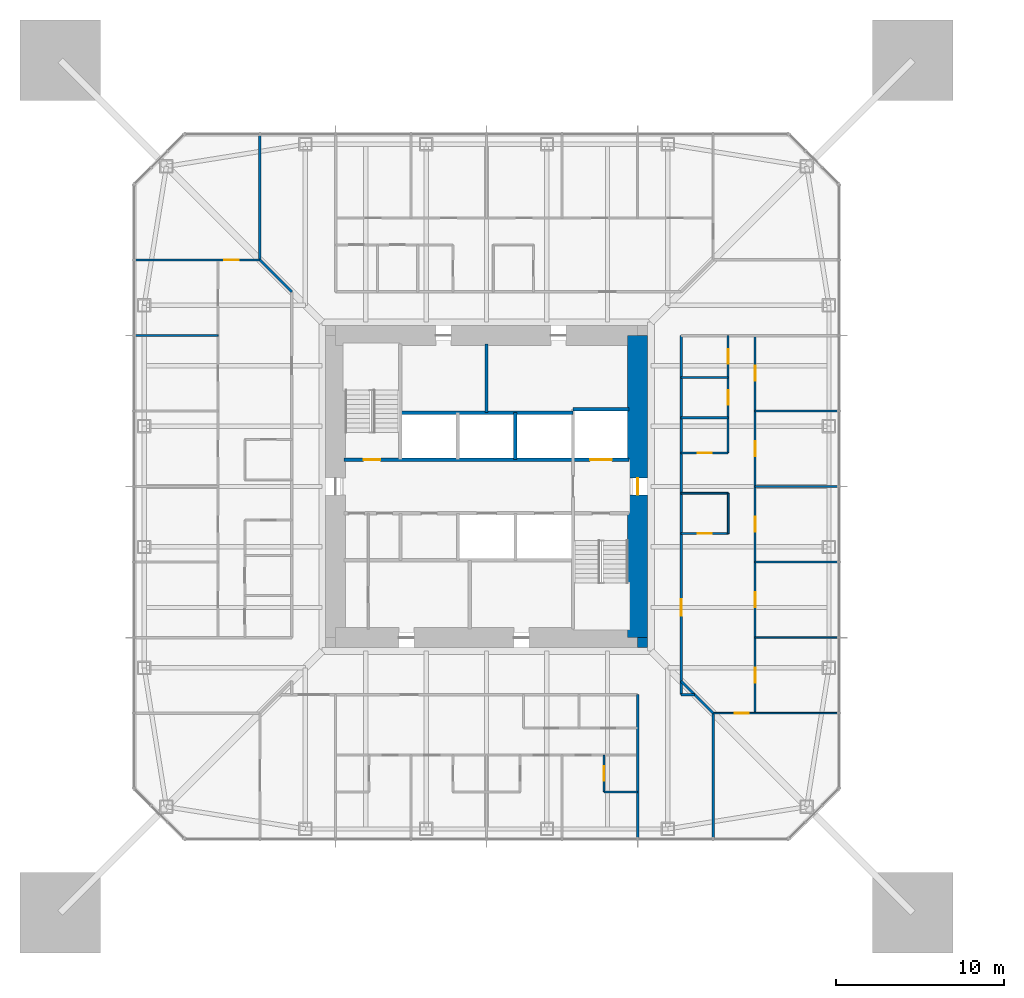
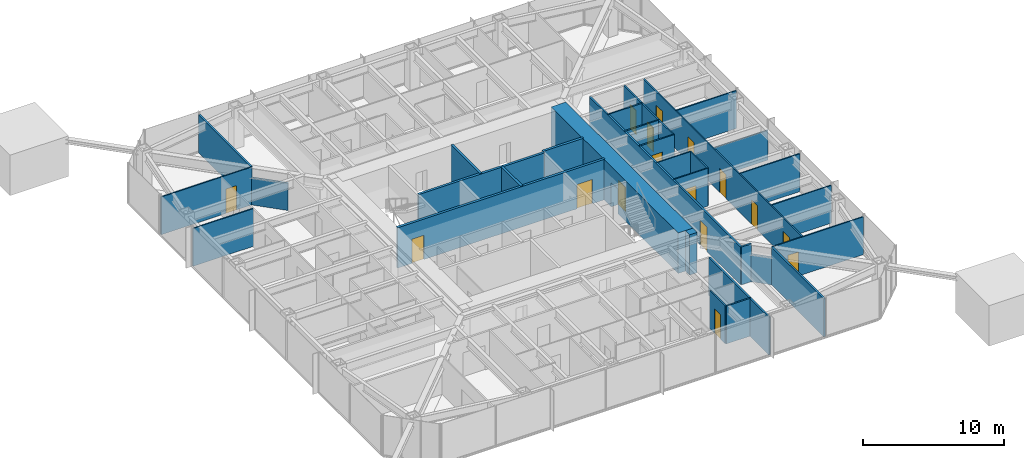
# One storey, part 15 of 25: 31 walls, 16 doors, 16 openings.
"""IFC4 building model written with IfcOpenShell, lengths in metres."""

from ifc_helpers import new_model, si_unit, direction, frame, frame_2d, origin, place, context, subcontext, project, spatial, rectangle, extrude, material, layer, layer_set, type_object, element, fill, save


model = new_model("IFC4")

# Units and contexts
model_context = context("Model", 3, precision=1e-05, world=origin(), true_north=direction((0.0, 1.0)))
body_context = subcontext(model_context, "Body", "Model", "MODEL_VIEW")
ifc_project = project(units=[si_unit("LENGTHUNIT", "METRE"), si_unit("AREAUNIT", "SQUARE_METRE"), si_unit("VOLUMEUNIT", "CUBIC_METRE"), si_unit("PLANEANGLEUNIT", "RADIAN"), si_unit("MASSUNIT", "GRAM", prefix="KILO")], contexts=[model_context])

# Site, building, storey
site_placement = place(None, origin())
site = spatial("IfcSite", under=ifc_project, at=site_placement, CompositionType="ELEMENT")
building_placement = place(site_placement, origin())
building = spatial("IfcBuilding", under=site, at=building_placement, Name="Iwan Alto Co-Living Towers", CompositionType="ELEMENT")
storey_placement = place(building_placement, frame((0.0, 0.0, 84.0)))
storey = spatial("IfcBuildingStorey", under=building, at=storey_placement, Name="L22", CompositionType="ELEMENT", Elevation=84.0)

# Walls
ifc_material_1 = material(Name="Gypsum board")
ifc_layer_1 = layer(ifc_material_1, 0.02490234375, Name="Board", Category="Finish")
ifc_material_2 = material(Name="Steel ASTM A1003 ST33H cold-formed studs", Category="steel")
ifc_layer_2 = layer(ifc_material_2, 0.10009765625, Name="Studs", Category="Framing")
ifc_layer_3 = layer(ifc_material_1, 0.02490234375, Name="Board", Category="Finish")
ifc_layer_set_1 = layer_set([ifc_layer_1, ifc_layer_2, ifc_layer_3], Name="CORRIDOR WALL 150")
wall_type_1 = type_object("IfcWallType", Name="CORRIDOR WALL 150", PredefinedType="PARTITIONING", material=ifc_layer_set_1)
wall_1_placement = place(storey_placement, frame((11.60009765625, -12.39990234375, 0.0), z_axis=(0.0, 0.0, 1.0), x_axis=(1.0, 0.0, 0.0)))
element("IfcWall", 1, at=wall_1_placement, inside=storey, type_object=wall_type_1, Name="Partition L22", PredefinedType="PARTITIONING", context=body_context, shape_type="SweptSolid", body=[
    extrude(rectangle(XDim=0.7998046875, YDim=0.14990234375, at=frame_2d((0.39990234375, 0.0))), origin(), (0.0, 0.0, 1.0), 3.27001953125),
])
wall_2_placement = place(storey_placement, frame((13.5, -20.93994140625, 0.0), z_axis=(0.0, 0.0, 1.0), x_axis=(0.0, 1.0, 0.0)))
element("IfcWall", 2, at=wall_2_placement, inside=storey, type_object=wall_type_1, Name="Partition L22", PredefinedType="PARTITIONING", context=body_context, shape_type="SweptSolid", body=[
    extrude(rectangle(XDim=7.43994140625, YDim=0.14990234375, at=frame_2d((3.719970703125, 0.0))), origin(), (0.0, 0.0, 1.0), 3.27001953125),
])

# Wall, opening, door
wall_3_placement = place(storey_placement, frame((11.60009765625, -12.39990234375, 0.0), z_axis=(0.0, 0.0, 1.0), x_axis=(0.0, 1.0, 0.0)))
wall_3 = element("IfcWall", 3, at=wall_3_placement, inside=storey, type_object=wall_type_1, Name="Partition L22", PredefinedType="PARTITIONING", context=body_context, shape_type="SweptSolid", body=[
    extrude(rectangle(XDim=21.39990234375, YDim=0.14990234375, at=frame_2d((10.699951171875, 0.0))), origin(), (0.0, 0.0, 1.0), 3.27001953125),
])
opening_1_placement = place(wall_3_placement, frame((4.699951171875, 0.0, 0.0)))
opening_1 = element("IfcOpeningElement", 4, at=opening_1_placement, cuts=wall_3, Name="Opening D3", PredefinedType="OPENING", context=body_context, shape_type="SweptSolid", body=[
    extrude(rectangle(XDim=1.0, YDim=2.10009765625, at=frame_2d((0.5, 1.050048828125))), frame((0.0, 0.0849609375, 0.0), z_axis=(0.0, -1.0, 0.0), x_axis=(1.0, 0.0, 0.0)), (0.0, 0.0, 1.0), 0.169921875),
])
ifc_material_3 = material(Name="Steel frame with timber leaf", Category="steel")
door_type_1 = type_object("IfcDoorType", Name="FLAT ENTRANCE DOOR FD30S 1000X2100", OperationType="SINGLE_SWING_LEFT", PredefinedType="DOOR", material=ifc_material_3)
door_1_placement = place(opening_1_placement, frame((1.0, 0.0, 0.0), z_axis=(0.0, 0.0, 1.0), x_axis=(-1.0, 0.0, 0.0)))
door_1 = element("IfcDoor", 5, at=door_1_placement, inside=storey, type_object=door_type_1, Name="Cluster lounge door L22", OperationType="SINGLE_SWING_LEFT", OverallHeight=2.10009765625, OverallWidth=1.0, PredefinedType="DOOR", context=body_context, shape_type="SweptSolid", body=[
    extrude(rectangle(XDim=1.0, YDim=2.10009765625, at=frame_2d((0.5, 1.050048828125))), frame((0.0, 0.02490234375, 0.0), z_axis=(0.0, -1.0, 0.0), x_axis=(1.0, 0.0, 0.0)), (0.0, 0.0, 1.0), 0.050048828125),
])
fill(opening_1, door_1)

# Walls
wall_4_placement = place(storey_placement, frame((9.0, -20.93994140625, 0.0), z_axis=(0.0, 0.0, 1.0), x_axis=(0.0, 1.0, 0.0)))
element("IfcWall", 6, at=wall_4_placement, inside=storey, type_object=wall_type_1, Name="Partition L22", PredefinedType="PARTITIONING", context=body_context, shape_type="SweptSolid", body=[
    extrude(rectangle(XDim=8.5400390625, YDim=0.14990234375, at=frame_2d((4.27001953125, 0.0))), origin(), (0.0, 0.0, 1.0), 3.27001953125),
])
wall_5_placement = place(storey_placement, frame((-13.5, 13.5, 0.0), z_axis=(0.0, 0.0, 1.0), x_axis=(0.0, 1.0, 0.0)))
element("IfcWall", 7, at=wall_5_placement, inside=storey, type_object=wall_type_1, Name="Partition L22", PredefinedType="PARTITIONING", context=body_context, shape_type="SweptSolid", body=[
    extrude(rectangle(XDim=7.43994140625, YDim=0.14990234375, at=frame_2d((3.719970703125, 0.0))), origin(), (0.0, 0.0, 1.0), 3.27001953125),
])
for number, where, z_axis, x_axis, name in (
    (8, (13.5, -13.5, 0.0), (0.0, 0.0, 1.0), (-0.707106781187, 0.707106781187, 0.0), "Partition L22"),
    (9, (-11.60009765625, 11.60009765625, 0.0), (0.0, 0.0, 1.0), (-0.707106781187, 0.707106781187, 0.0), "Partition L22"),
):
    element("IfcWall", number, at=place(storey_placement, frame(where, z_axis=z_axis, x_axis=x_axis)), inside=storey, type_object=wall_type_1, Name=name, PredefinedType="PARTITIONING", context=body_context, shape_type="SweptSolid", body=[
        extrude(rectangle(XDim=2.686767578125, YDim=0.14990234375, at=frame_2d((1.34326171875, 0.0))), origin(), (0.0, 0.0, 1.0), 2.343017578125),
    ])

# Wall, opening, door
ifc_layer_4 = layer(ifc_material_1, 0.012451171875, Name="Board", Category="Finish")
ifc_layer_5 = layer(ifc_material_2, 0.074951171875, Name="Studs", Category="Framing")
ifc_layer_6 = layer(ifc_material_1, 0.012451171875, Name="Board", Category="Finish")
ifc_layer_set_2 = layer_set([ifc_layer_4, ifc_layer_5, ifc_layer_6], Name="PARTITION 100")
wall_type_2 = type_object("IfcWallType", Name="PARTITION 100", PredefinedType="PARTITIONING", material=ifc_layer_set_2)
wall_6_placement = place(storey_placement, frame((13.5, -13.5, 0.0), z_axis=(0.0, 0.0, 1.0), x_axis=(1.0, 0.0, 0.0)))
wall_6 = element("IfcWall", 10, at=wall_6_placement, inside=storey, type_object=wall_type_2, Name="Partition L22", PredefinedType="PARTITIONING", context=body_context, shape_type="SweptSolid", body=[
    extrude(rectangle(XDim=7.43994140625, YDim=0.10009765625, at=frame_2d((3.719970703125, 0.0))), origin(), (0.0, 0.0, 1.0), 3.27001953125),
])
opening_2_placement = place(wall_6_placement, frame((1.27490234375, 0.0, 0.0)))
opening_2 = element("IfcOpeningElement", 11, at=opening_2_placement, cuts=wall_6, Name="Opening D2", PredefinedType="OPENING", context=body_context, shape_type="SweptSolid", body=[
    extrude(rectangle(XDim=0.85009765625, YDim=2.10009765625, at=frame_2d((0.425048828125, 1.050048828125))), frame((0.0, 0.06005859375, 0.0), z_axis=(0.0, -1.0, 0.0), x_axis=(1.0, 0.0, 0.0)), (0.0, 0.0, 1.0), 0.1201171875),
])
ifc_material_4 = material(Name="Timber leaf in steel frame", Category="steel")
door_type_2 = type_object("IfcDoorType", Name="ROOM DOOR 850X2100", OperationType="SINGLE_SWING_LEFT", PredefinedType="DOOR", material=ifc_material_4)
door_2_placement = place(opening_2_placement, origin())
door_2 = element("IfcDoor", 12, at=door_2_placement, inside=storey, type_object=door_type_2, Name="Shared kitchen and lounge door L22", OperationType="SINGLE_SWING_RIGHT", OverallHeight=2.10009765625, OverallWidth=0.85009765625, PredefinedType="DOOR", context=body_context, shape_type="SweptSolid", body=[
    extrude(rectangle(XDim=0.85009765625, YDim=2.10009765625, at=frame_2d((0.425048828125, 1.050048828125))), frame((0.0, 0.02490234375, 0.0), z_axis=(0.0, -1.0, 0.0), x_axis=(1.0, 0.0, 0.0)), (0.0, 0.0, 1.0), 0.050048828125),
])
fill(opening_2, door_2)

# Walls
for number, where, z_axis, x_axis, name in (
    (13, (16.0, -9.0, 0.0), (0.0, 0.0, 1.0), (1.0, 0.0, 0.0), "Partition L22"),
    (14, (16.0, -4.5, 0.0), (0.0, 0.0, 1.0), (1.0, 0.0, 0.0), "Partition L22"),
):
    element("IfcWall", number, at=place(storey_placement, frame(where, z_axis=z_axis, x_axis=x_axis)), inside=storey, type_object=wall_type_2, Name=name, PredefinedType="PARTITIONING", context=body_context, shape_type="SweptSolid", body=[
        extrude(rectangle(XDim=4.93994140625, YDim=0.10009765625, at=frame_2d((2.469970703125, 0.0))), origin(), (0.0, 0.0, 1.0), 3.27001953125),
    ])

# Wall, opening, door
wall_7_placement = place(storey_placement, frame((11.60009765625, -2.800048828125, 0.0), z_axis=(0.0, 0.0, 1.0), x_axis=(1.0, 0.0, 0.0)))
wall_7 = element("IfcWall", 15, at=wall_7_placement, inside=storey, type_object=wall_type_2, Name="Partition L22", PredefinedType="PARTITIONING", context=body_context, shape_type="SweptSolid", body=[
    extrude(rectangle(XDim=2.7998046875, YDim=0.10009765625, at=frame_2d((1.39990234375, 0.0))), origin(), (0.0, 0.0, 1.0), 3.27001953125),
])
opening_3_placement = place(wall_7_placement, frame((0.97509765625, 0.0, 0.0)))
opening_3 = element("IfcOpeningElement", 16, at=opening_3_placement, cuts=wall_7, Name="Opening D2", PredefinedType="OPENING", context=body_context, shape_type="SweptSolid", body=[
    extrude(rectangle(XDim=0.85009765625, YDim=2.10009765625, at=frame_2d((0.425048828125, 1.050048828125))), frame((0.0, 0.06005859375, 0.0), z_axis=(0.0, -1.0, 0.0), x_axis=(1.0, 0.0, 0.0)), (0.0, 0.0, 1.0), 0.1201171875),
])
door_3_placement = place(opening_3_placement, frame((0.85009765625, 0.0, 0.0), z_axis=(0.0, 0.0, 1.0), x_axis=(-1.0, 0.0, 0.0)))
door_3 = element("IfcDoor", 17, at=door_3_placement, inside=storey, type_object=door_type_2, Name="Store room door L22", OperationType="SINGLE_SWING_RIGHT", OverallHeight=2.10009765625, OverallWidth=0.85009765625, PredefinedType="DOOR", context=body_context, shape_type="SweptSolid", body=[
    extrude(rectangle(XDim=0.85009765625, YDim=2.10009765625, at=frame_2d((0.425048828125, 1.050048828125))), frame((0.0, 0.02490234375, 0.0), z_axis=(0.0, -1.0, 0.0), x_axis=(1.0, 0.0, 0.0)), (0.0, 0.0, 1.0), 0.050048828125),
])
fill(opening_3, door_3)

# Walls
wall_8_placement = place(storey_placement, frame((11.60009765625, -0.39990234375, 0.0), z_axis=(0.0, 0.0, 1.0), x_axis=(1.0, 0.0, 0.0)))
element("IfcWall", 18, at=wall_8_placement, inside=storey, type_object=wall_type_2, Name="Partition L22", PredefinedType="PARTITIONING", context=body_context, shape_type="SweptSolid", body=[
    extrude(rectangle(XDim=2.7998046875, YDim=0.10009765625, at=frame_2d((1.39990234375, 0.0))), origin(), (0.0, 0.0, 1.0), 3.27001953125),
])
wall_9_placement = place(storey_placement, frame((16.0, 0.0, 0.0), z_axis=(0.0, 0.0, 1.0), x_axis=(1.0, 0.0, 0.0)))
element("IfcWall", 19, at=wall_9_placement, inside=storey, type_object=wall_type_2, Name="Partition L22", PredefinedType="PARTITIONING", context=body_context, shape_type="SweptSolid", body=[
    extrude(rectangle(XDim=4.93994140625, YDim=0.10009765625, at=frame_2d((2.469970703125, 0.0))), origin(), (0.0, 0.0, 1.0), 2.586669921875),
])
for number, where, z_axis, x_axis, name in (
    (20, (16.0, 4.5, 0.0), (0.0, 0.0, 1.0), (1.0, 0.0, 0.0), "Partition L22"),
    (21, (-20.93994140625, 9.0, 0.0), (0.0, 0.0, 1.0), (1.0, 0.0, 0.0), "Partition L22"),
):
    element("IfcWall", number, at=place(storey_placement, frame(where, z_axis=z_axis, x_axis=x_axis)), inside=storey, type_object=wall_type_2, Name=name, PredefinedType="PARTITIONING", context=body_context, shape_type="SweptSolid", body=[
        extrude(rectangle(XDim=4.93994140625, YDim=0.10009765625, at=frame_2d((2.469970703125, 0.0))), origin(), (0.0, 0.0, 1.0), 3.27001953125),
    ])

# Wall, opening, door
wall_10_placement = place(storey_placement, frame((-20.93994140625, 13.5, 0.0), z_axis=(0.0, 0.0, 1.0), x_axis=(1.0, 0.0, 0.0)))
wall_10 = element("IfcWall", 22, at=wall_10_placement, inside=storey, type_object=wall_type_2, Name="Partition L22", PredefinedType="PARTITIONING", context=body_context, shape_type="SweptSolid", body=[
    extrude(rectangle(XDim=7.43994140625, YDim=0.10009765625, at=frame_2d((3.719970703125, 0.0))), origin(), (0.0, 0.0, 1.0), 3.27001953125),
])
opening_4_placement = place(wall_10_placement, frame((5.31494140625, 0.0, 0.0)))
opening_4 = element("IfcOpeningElement", 23, at=opening_4_placement, cuts=wall_10, Name="Opening D2", PredefinedType="OPENING", context=body_context, shape_type="SweptSolid", body=[
    extrude(rectangle(XDim=0.85009765625, YDim=2.10009765625, at=frame_2d((0.425048828125, 1.050048828125))), frame((0.0, 0.06005859375, 0.0), z_axis=(0.0, -1.0, 0.0), x_axis=(1.0, 0.0, 0.0)), (0.0, 0.0, 1.0), 0.1201171875),
])
door_4_placement = place(opening_4_placement, frame((0.85009765625, 0.0, 0.0), z_axis=(0.0, 0.0, 1.0), x_axis=(-1.0, 0.0, 0.0)))
door_4 = element("IfcDoor", 24, at=door_4_placement, inside=storey, type_object=door_type_2, Name="Shared kitchen and lounge door L22", OperationType="SINGLE_SWING_RIGHT", OverallHeight=2.10009765625, OverallWidth=0.85009765625, PredefinedType="DOOR", context=body_context, shape_type="SweptSolid", body=[
    extrude(rectangle(XDim=0.85009765625, YDim=2.10009765625, at=frame_2d((0.425048828125, 1.050048828125))), frame((0.0, 0.02490234375, 0.0), z_axis=(0.0, -1.0, 0.0), x_axis=(1.0, 0.0, 0.0)), (0.0, 0.0, 1.0), 0.050048828125),
])
fill(opening_4, door_4)

# Wall, openings, doors
wall_11_placement = place(storey_placement, frame((16.0, -13.5, 0.0), z_axis=(0.0, 0.0, 1.0), x_axis=(0.0, 1.0, 0.0)))
wall_11 = element("IfcWall", 25, at=wall_11_placement, inside=storey, type_object=wall_type_2, Name="Partition L22", PredefinedType="PARTITIONING", context=body_context, shape_type="SweptSolid", body=[
    extrude(rectangle(XDim=22.5, YDim=0.10009765625, at=frame_2d((11.25, 0.0))), origin(), (0.0, 0.0, 1.0), 3.27001953125),
])
opening_5_placement = place(wall_11_placement, frame((1.800048828125, 0.0, 0.0)))
opening_5 = element("IfcOpeningElement", 26, at=opening_5_placement, cuts=wall_11, Name="Opening D1", PredefinedType="OPENING", context=body_context, shape_type="SweptSolid", body=[
    extrude(rectangle(XDim=0.89990234375, YDim=2.10009765625, at=frame_2d((0.449951171875, 1.050048828125))), frame((0.0, 0.06005859375, 0.0), z_axis=(0.0, -1.0, 0.0), x_axis=(1.0, 0.0, 0.0)), (0.0, 0.0, 1.0), 0.1201171875),
])
opening_6_placement = place(wall_11_placement, frame((6.300048828125, 0.0, 0.0)))
opening_6 = element("IfcOpeningElement", 27, at=opening_6_placement, cuts=wall_11, Name="Opening D1", PredefinedType="OPENING", context=body_context, shape_type="SweptSolid", body=[
    extrude(rectangle(XDim=0.89990234375, YDim=2.10009765625, at=frame_2d((0.449951171875, 1.050048828125))), frame((0.0, 0.06005859375, 0.0), z_axis=(0.0, -1.0, 0.0), x_axis=(1.0, 0.0, 0.0)), (0.0, 0.0, 1.0), 0.1201171875),
])
opening_7_placement = place(wall_11_placement, frame((10.800048828125, 0.0, 0.0)))
opening_7 = element("IfcOpeningElement", 28, at=opening_7_placement, cuts=wall_11, Name="Opening D1", PredefinedType="OPENING", context=body_context, shape_type="SweptSolid", body=[
    extrude(rectangle(XDim=0.89990234375, YDim=2.10009765625, at=frame_2d((0.449951171875, 1.050048828125))), frame((0.0, 0.06005859375, 0.0), z_axis=(0.0, -1.0, 0.0), x_axis=(1.0, 0.0, 0.0)), (0.0, 0.0, 1.0), 0.1201171875),
])
opening_8_placement = place(wall_11_placement, frame((15.300048828125, 0.0, 0.0)))
opening_8 = element("IfcOpeningElement", 29, at=opening_8_placement, cuts=wall_11, Name="Opening D1", PredefinedType="OPENING", context=body_context, shape_type="SweptSolid", body=[
    extrude(rectangle(XDim=0.89990234375, YDim=2.10009765625, at=frame_2d((0.449951171875, 1.050048828125))), frame((0.0, 0.06005859375, 0.0), z_axis=(0.0, -1.0, 0.0), x_axis=(1.0, 0.0, 0.0)), (0.0, 0.0, 1.0), 0.1201171875),
])
opening_9_placement = place(wall_11_placement, frame((19.800048828125, 0.0, 0.0)))
opening_9 = element("IfcOpeningElement", 30, at=opening_9_placement, cuts=wall_11, Name="Opening D1", PredefinedType="OPENING", context=body_context, shape_type="SweptSolid", body=[
    extrude(rectangle(XDim=0.89990234375, YDim=2.10009765625, at=frame_2d((0.449951171875, 1.050048828125))), frame((0.0, 0.06005859375, 0.0), z_axis=(0.0, -1.0, 0.0), x_axis=(1.0, 0.0, 0.0)), (0.0, 0.0, 1.0), 0.1201171875),
])
ifc_material_5 = material(Name="Timber leaf in steel frame", Category="steel")
door_type_3 = type_object("IfcDoorType", Name="BEDROOM DOOR 900X2100", OperationType="SINGLE_SWING_LEFT", PredefinedType="DOOR", material=ifc_material_5)
door_5_placement = place(opening_5_placement, origin())
door_5 = element("IfcDoor", 31, at=door_5_placement, inside=storey, type_object=door_type_3, Name="Study bedroom door L22", OperationType="SINGLE_SWING_LEFT", OverallHeight=2.10009765625, OverallWidth=0.89990234375, PredefinedType="DOOR", context=body_context, shape_type="SweptSolid", body=[
    extrude(rectangle(XDim=0.89990234375, YDim=2.10009765625, at=frame_2d((0.449951171875, 1.050048828125))), frame((0.0, 0.02490234375, 0.0), z_axis=(0.0, -1.0, 0.0), x_axis=(1.0, 0.0, 0.0)), (0.0, 0.0, 1.0), 0.050048828125),
])
fill(opening_5, door_5)
door_6_placement = place(opening_6_placement, origin())
door_6 = element("IfcDoor", 32, at=door_6_placement, inside=storey, type_object=door_type_3, Name="Study bedroom door L22", OperationType="SINGLE_SWING_LEFT", OverallHeight=2.10009765625, OverallWidth=0.89990234375, PredefinedType="DOOR", context=body_context, shape_type="SweptSolid", body=[
    extrude(rectangle(XDim=0.89990234375, YDim=2.10009765625, at=frame_2d((0.449951171875, 1.050048828125))), frame((0.0, 0.02490234375, 0.0), z_axis=(0.0, -1.0, 0.0), x_axis=(1.0, 0.0, 0.0)), (0.0, 0.0, 1.0), 0.050048828125),
])
fill(opening_6, door_6)
door_7_placement = place(opening_7_placement, origin())
door_7 = element("IfcDoor", 33, at=door_7_placement, inside=storey, type_object=door_type_3, Name="Study bedroom door L22", OperationType="SINGLE_SWING_LEFT", OverallHeight=2.10009765625, OverallWidth=0.89990234375, PredefinedType="DOOR", context=body_context, shape_type="SweptSolid", body=[
    extrude(rectangle(XDim=0.89990234375, YDim=2.10009765625, at=frame_2d((0.449951171875, 1.050048828125))), frame((0.0, 0.02490234375, 0.0), z_axis=(0.0, -1.0, 0.0), x_axis=(1.0, 0.0, 0.0)), (0.0, 0.0, 1.0), 0.050048828125),
])
fill(opening_7, door_7)
door_8_placement = place(opening_8_placement, origin())
door_8 = element("IfcDoor", 34, at=door_8_placement, inside=storey, type_object=door_type_3, Name="Study bedroom door L22", OperationType="SINGLE_SWING_RIGHT", OverallHeight=2.10009765625, OverallWidth=0.89990234375, PredefinedType="DOOR", context=body_context, shape_type="SweptSolid", body=[
    extrude(rectangle(XDim=0.89990234375, YDim=2.10009765625, at=frame_2d((0.449951171875, 1.050048828125))), frame((0.0, 0.02490234375, 0.0), z_axis=(0.0, -1.0, 0.0), x_axis=(1.0, 0.0, 0.0)), (0.0, 0.0, 1.0), 0.050048828125),
])
fill(opening_8, door_8)
door_9_placement = place(opening_9_placement, origin())
door_9 = element("IfcDoor", 35, at=door_9_placement, inside=storey, type_object=door_type_3, Name="Study bedroom door L22", OperationType="SINGLE_SWING_RIGHT", OverallHeight=2.10009765625, OverallWidth=0.89990234375, PredefinedType="DOOR", context=body_context, shape_type="SweptSolid", body=[
    extrude(rectangle(XDim=0.89990234375, YDim=2.10009765625, at=frame_2d((0.449951171875, 1.050048828125))), frame((0.0, 0.02490234375, 0.0), z_axis=(0.0, -1.0, 0.0), x_axis=(1.0, 0.0, 0.0)), (0.0, 0.0, 1.0), 0.050048828125),
])
fill(opening_9, door_9)

# Wall
wall_12_placement = place(storey_placement, frame((14.39990234375, -2.800048828125, 0.0), z_axis=(0.0, 0.0, 1.0), x_axis=(0.0, 1.0, 0.0)))
element("IfcWall", 36, at=wall_12_placement, inside=storey, type_object=wall_type_2, Name="Partition L22", PredefinedType="PARTITIONING", context=body_context, shape_type="SweptSolid", body=[
    extrude(rectangle(XDim=2.400146484375, YDim=0.10009765625, at=frame_2d((1.2001953125, 0.0))), origin(), (0.0, 0.0, 1.0), 3.27001953125),
])

# Wall, openings, doors
ifc_material_6 = material(Name="Concrete f'c 70 MPa", Category="concrete")
ifc_layer_7 = layer(ifc_material_6, 0.199951171875)
ifc_layer_set_3 = layer_set([ifc_layer_7], Name="SHAFT WALL 200")
wall_type_3 = type_object("IfcWallType", Name="SHAFT WALL 200", PredefinedType="SOLIDWALL", material=ifc_layer_set_3)
wall_13_placement = place(storey_placement, frame((-8.489990234375, 1.60009765625, 0.0), z_axis=(0.0, 0.0, 1.0), x_axis=(1.0, 0.0, 0.0)))
wall_13 = element("IfcWall", 37, at=wall_13_placement, inside=storey, type_object=wall_type_3, Name="Shaft wall L22", PredefinedType="SOLIDWALL", context=body_context, shape_type="SweptSolid", body=[
    extrude(rectangle(XDim=16.97998046875, YDim=0.199951171875, at=frame_2d((8.489990234375, 0.0))), origin(), (0.0, 0.0, 1.0), 3.5),
])
opening_10_placement = place(wall_13_placement, frame((1.169921875, 0.0, 0.0)))
opening_10 = element("IfcOpeningElement", 38, at=opening_10_placement, cuts=wall_13, Name="Opening D5", PredefinedType="OPENING", context=body_context, shape_type="SweptSolid", body=[
    extrude(rectangle(XDim=1.0, YDim=2.10009765625, at=frame_2d((0.5, 1.050048828125))), frame((0.0, 0.10986328125, 0.0), z_axis=(0.0, -1.0, 0.0), x_axis=(1.0, 0.0, 0.0)), (0.0, 0.0, 1.0), 0.219970703125),
])
opening_11_placement = place(wall_13_placement, frame((14.659912109375, 0.0, 0.0)))
opening_11 = element("IfcOpeningElement", 39, at=opening_11_placement, cuts=wall_13, Name="Opening LD2", PredefinedType="OPENING", context=body_context, shape_type="SweptSolid", body=[
    extrude(rectangle(XDim=1.300048828125, YDim=2.10009765625, at=frame_2d((0.64990234375, 1.050048828125))), frame((0.0, 0.10986328125, 0.0), z_axis=(0.0, -1.0, 0.0), x_axis=(1.0, 0.0, 0.0)), (0.0, 0.0, 1.0), 0.219970703125),
])
ifc_material_7 = material(Name="Steel frame with timber leaf", Category="steel")
door_type_4 = type_object("IfcDoorType", Name="LIFT LANDING DOOR 1300X2100", OperationType="SLIDING_TO_LEFT", PredefinedType="DOOR", material=ifc_material_7)
door_10_placement = place(opening_11_placement, origin())
door_10 = element("IfcDoor", 40, at=door_10_placement, inside=storey, type_object=door_type_4, Name="Lift FL1 landing door L22", OperationType="SLIDING_TO_LEFT", OverallHeight=2.10009765625, OverallWidth=1.300048828125, PredefinedType="DOOR", context=body_context, shape_type="SweptSolid", body=[
    extrude(rectangle(XDim=1.300048828125, YDim=2.10009765625, at=frame_2d((0.64990234375, 1.050048828125))), frame((0.0, 0.02490234375, 0.0), z_axis=(0.0, -1.0, 0.0), x_axis=(1.0, 0.0, 0.0)), (0.0, 0.0, 1.0), 0.050048828125),
])
fill(opening_11, door_10)
ifc_material_8 = material(Name="Steel frame with timber leaf", Category="steel")
door_type_5 = type_object("IfcDoorType", Name="STAIR DOOR FD120S 1000X2100", OperationType="SINGLE_SWING_LEFT", PredefinedType="DOOR", material=ifc_material_8)
door_11_placement = place(opening_10_placement, origin())
door_11 = element("IfcDoor", 41, at=door_11_placement, inside=storey, type_object=door_type_5, Name="Stair S1 door L22", OperationType="SINGLE_SWING_RIGHT", OverallHeight=2.10009765625, OverallWidth=1.0, PredefinedType="DOOR", context=body_context, shape_type="SweptSolid", body=[
    extrude(rectangle(XDim=1.0, YDim=2.10009765625, at=frame_2d((0.5, 1.050048828125))), frame((0.0, 0.02490234375, 0.0), z_axis=(0.0, -1.0, 0.0), x_axis=(1.0, 0.0, 0.0)), (0.0, 0.0, 1.0), 0.050048828125),
])
fill(opening_10, door_11)

# Walls
wall_14_placement = place(storey_placement, frame((-5.14990234375, 4.39990234375, 0.0), z_axis=(0.0, 0.0, 1.0), x_axis=(1.0, 0.0, 0.0)))
element("IfcWall", 42, at=wall_14_placement, inside=storey, type_object=wall_type_3, Name="Shaft wall L22", PredefinedType="SOLIDWALL", context=body_context, shape_type="SweptSolid", body=[
    extrude(rectangle(XDim=10.2998046875, YDim=0.199951171875, at=frame_2d((5.14990234375, 0.0))), origin(), (0.0, 0.0, 1.0), 3.5),
])
wall_15_placement = place(storey_placement, frame((5.14990234375, 4.60009765625, 0.0), z_axis=(0.0, 0.0, 1.0), x_axis=(1.0, 0.0, 0.0)))
element("IfcWall", 43, at=wall_15_placement, inside=storey, type_object=wall_type_3, Name="Shaft wall L22", PredefinedType="SOLIDWALL", context=body_context, shape_type="SweptSolid", body=[
    extrude(rectangle(XDim=3.340087890625, YDim=0.199951171875, at=frame_2d((1.669921875, 0.0))), origin(), (0.0, 0.0, 1.0), 3.5),
])
wall_16_placement = place(storey_placement, frame((1.717041015625, 1.60009765625, 0.0), z_axis=(0.0, 0.0, 1.0), x_axis=(0.0, 1.0, 0.0)))
element("IfcWall", 44, at=wall_16_placement, inside=storey, type_object=wall_type_3, Name="Shaft wall L22", PredefinedType="SOLIDWALL", context=body_context, shape_type="SweptSolid", body=[
    extrude(rectangle(XDim=2.7998046875, YDim=0.199951171875, at=frame_2d((1.39990234375, 0.0))), origin(), (0.0, 0.0, 1.0), 3.5),
])
wall_17_placement = place(storey_placement, frame((0.0, 4.39990234375, 0.0), z_axis=(0.0, 0.0, 1.0), x_axis=(0.0, 1.0, 0.0)))
element("IfcWall", 45, at=wall_17_placement, inside=storey, type_object=wall_type_3, Name="Shaft wall L22", PredefinedType="SOLIDWALL", context=body_context, shape_type="SweptSolid", body=[
    extrude(rectangle(XDim=4.090087890625, YDim=0.199951171875, at=frame_2d((2.044921875, 0.0))), origin(), (0.0, 0.0, 1.0), 3.5),
])
ifc_material_9 = material(Name="Concrete f'c 70 MPa", Category="concrete")
ifc_layer_8 = layer(ifc_material_9, 0.60009765625)
ifc_layer_set_4 = layer_set([ifc_layer_8], Name="T1 CORE CORNER FILL 600")
wall_type_4 = type_object("IfcWallType", Name="T1 CORE CORNER FILL 600", PredefinedType="SOLIDWALL", material=ifc_layer_set_4)
wall_18_placement = place(storey_placement, frame((9.0, -9.300048828125, 0.0), z_axis=(0.0, 0.0, 1.0), x_axis=(1.0, 0.0, 0.0)))
element("IfcWall", 46, at=wall_18_placement, inside=storey, type_object=wall_type_4, Name="T1 core corner SE L22", PredefinedType="SOLIDWALL", context=body_context, shape_type="SweptSolid", body=[
    extrude(rectangle(XDim=0.60009765625, YDim=0.60009765625, at=frame_2d((0.300048828125, 0.0))), origin(), (0.0, 0.0, 1.0), 3.5),
])

# Wall, opening, door
ifc_material_10 = material(Name="Concrete f'c 70 MPa", Category="concrete")
ifc_layer_9 = layer(ifc_material_10, 1.199951171875)
ifc_layer_set_5 = layer_set([ifc_layer_9], Name="T1 CORE WALL 1200")
wall_type_5 = type_object("IfcWallType", Name="T1 CORE WALL 1200", PredefinedType="SHEAR", material=ifc_layer_set_5)
wall_19_placement = place(storey_placement, frame((9.0, -9.0, 0.0), z_axis=(0.0, 0.0, 1.0), x_axis=(0.0, 1.0, 0.0)))
wall_19 = element("IfcWall", 47, at=wall_19_placement, inside=storey, type_object=wall_type_5, Name="T1 core wall E L22", PredefinedType="SHEAR", context=body_context, shape_type="SweptSolid", body=[
    extrude(rectangle(XDim=18.0, YDim=1.199951171875, at=frame_2d((9.0, 0.0))), origin(), (0.0, 0.0, 1.0), 3.5),
])
opening_12_placement = place(wall_19_placement, frame((8.5, 0.0, 0.0)))
opening_12 = element("IfcOpeningElement", 48, at=opening_12_placement, cuts=wall_19, Name="Opening D7", PredefinedType="OPENING", context=body_context, shape_type="SweptSolid", body=[
    extrude(rectangle(XDim=1.0, YDim=2.10009765625, at=frame_2d((0.5, 1.050048828125))), frame((0.0, 0.60986328125, 0.0), z_axis=(0.0, -1.0, 0.0), x_axis=(1.0, 0.0, 0.0)), (0.0, 0.0, 1.0), 1.219970703125),
])
ifc_material_11 = material(Name="Steel frame with timber leaf", Category="steel")
door_type_6 = type_object("IfcDoorType", Name="CORE DOOR FD120S 1000X2100", OperationType="SINGLE_SWING_LEFT", PredefinedType="DOOR", material=ifc_material_11)
door_12_placement = place(opening_12_placement, origin())
door_12 = element("IfcDoor", 49, at=door_12_placement, inside=storey, type_object=door_type_6, Name="Firefighting lobby core door L22", OperationType="SINGLE_SWING_LEFT", OverallHeight=2.10009765625, OverallWidth=1.0, PredefinedType="DOOR", context=body_context, shape_type="SweptSolid", body=[
    extrude(rectangle(XDim=1.0, YDim=2.10009765625, at=frame_2d((0.5, 1.050048828125))), frame((0.0, 0.02490234375, 0.0), z_axis=(0.0, -1.0, 0.0), x_axis=(1.0, 0.0, 0.0)), (0.0, 0.0, 1.0), 0.050048828125),
])
fill(opening_12, door_12)

# Wall
ifc_material_12 = material(Name="Cement board")
ifc_layer_10 = layer(ifc_material_12, 0.012451171875, Name="Board", Category="Finish")
ifc_layer_11 = layer(ifc_material_2, 0.094970703125, Name="Studs", Category="Framing")
ifc_layer_12 = layer(ifc_material_12, 0.012451171875, Name="Board", Category="Finish")
ifc_layer_set_6 = layer_set([ifc_layer_10, ifc_layer_11, ifc_layer_12], Name="WET AREA PARTITION 120")
wall_type_6 = type_object("IfcWallType", Name="WET AREA PARTITION 120", PredefinedType="PARTITIONING", material=ifc_layer_set_6)
wall_20_placement = place(storey_placement, frame((7.0, -18.199951171875, 0.0), z_axis=(0.0, 0.0, 1.0), x_axis=(1.0, 0.0, 0.0)))
element("IfcWall", 50, at=wall_20_placement, inside=storey, type_object=wall_type_6, Name="Partition L22", PredefinedType="PARTITIONING", context=body_context, shape_type="SweptSolid", body=[
    extrude(rectangle(XDim=2.0, YDim=0.1201171875, at=frame_2d((1.0, 0.0))), origin(), (0.0, 0.0, 1.0), 3.27001953125),
])

# Wall, opening, door
wall_21_placement = place(storey_placement, frame((11.60009765625, 2.0, 0.0), z_axis=(0.0, 0.0, 1.0), x_axis=(1.0, 0.0, 0.0)))
wall_21 = element("IfcWall", 51, at=wall_21_placement, inside=storey, type_object=wall_type_6, Name="Partition L22", PredefinedType="PARTITIONING", context=body_context, shape_type="SweptSolid", body=[
    extrude(rectangle(XDim=2.7998046875, YDim=0.1201171875, at=frame_2d((1.39990234375, 0.0))), origin(), (0.0, 0.0, 1.0), 3.27001953125),
])
opening_13_placement = place(wall_21_placement, frame((0.97509765625, 0.0, 0.0)))
opening_13 = element("IfcOpeningElement", 52, at=opening_13_placement, cuts=wall_21, Name="Opening D2", PredefinedType="OPENING", context=body_context, shape_type="SweptSolid", body=[
    extrude(rectangle(XDim=0.85009765625, YDim=2.10009765625, at=frame_2d((0.425048828125, 1.050048828125))), frame((0.0, 0.070068359375, 0.0), z_axis=(0.0, -1.0, 0.0), x_axis=(1.0, 0.0, 0.0)), (0.0, 0.0, 1.0), 0.14013671875),
])
door_13_placement = place(opening_13_placement, frame((0.85009765625, 0.0, 0.0), z_axis=(0.0, 0.0, 1.0), x_axis=(-1.0, 0.0, 0.0)))
door_13 = element("IfcDoor", 53, at=door_13_placement, inside=storey, type_object=door_type_2, Name="Bathroom door L22", OperationType="SINGLE_SWING_RIGHT", OverallHeight=2.10009765625, OverallWidth=0.85009765625, PredefinedType="DOOR", context=body_context, shape_type="SweptSolid", body=[
    extrude(rectangle(XDim=0.85009765625, YDim=2.10009765625, at=frame_2d((0.425048828125, 1.050048828125))), frame((0.0, 0.02490234375, 0.0), z_axis=(0.0, -1.0, 0.0), x_axis=(1.0, 0.0, 0.0)), (0.0, 0.0, 1.0), 0.050048828125),
])
fill(opening_13, door_13)

# Walls
for number, where, z_axis, x_axis, name in (
    (54, (11.60009765625, 4.10009765625, 0.0), (0.0, 0.0, 1.0), (1.0, 0.0, 0.0), "Partition L22"),
    (55, (11.60009765625, 6.5, 0.0), (0.0, 0.0, 1.0), (1.0, 0.0, 0.0), "Partition L22"),
):
    element("IfcWall", number, at=place(storey_placement, frame(where, z_axis=z_axis, x_axis=x_axis)), inside=storey, type_object=wall_type_6, Name=name, PredefinedType="PARTITIONING", context=body_context, shape_type="SweptSolid", body=[
        extrude(rectangle(XDim=2.7998046875, YDim=0.1201171875, at=frame_2d((1.39990234375, 0.0))), origin(), (0.0, 0.0, 1.0), 3.27001953125),
    ])

# Wall, openings, doors
wall_22_placement = place(storey_placement, frame((14.39990234375, 2.0, 0.0), z_axis=(0.0, 0.0, 1.0), x_axis=(0.0, 1.0, 0.0)))
wall_22 = element("IfcWall", 56, at=wall_22_placement, inside=storey, type_object=wall_type_6, Name="Partition L22", PredefinedType="PARTITIONING", context=body_context, shape_type="SweptSolid", body=[
    extrude(rectangle(XDim=7.0, YDim=0.1201171875, at=frame_2d((3.5, 0.0))), origin(), (0.0, 0.0, 1.0), 3.27001953125),
])
opening_14_placement = place(wall_22_placement, frame((2.875, 0.0, 0.0)))
opening_14 = element("IfcOpeningElement", 57, at=opening_14_placement, cuts=wall_22, Name="Opening D2", PredefinedType="OPENING", context=body_context, shape_type="SweptSolid", body=[
    extrude(rectangle(XDim=0.85009765625, YDim=2.10009765625, at=frame_2d((0.425048828125, 1.050048828125))), frame((0.0, 0.070068359375, 0.0), z_axis=(0.0, -1.0, 0.0), x_axis=(1.0, 0.0, 0.0)), (0.0, 0.0, 1.0), 0.14013671875),
])
opening_15_placement = place(wall_22_placement, frame((5.324951171875, 0.0, 0.0)))
opening_15 = element("IfcOpeningElement", 58, at=opening_15_placement, cuts=wall_22, Name="Opening D2", PredefinedType="OPENING", context=body_context, shape_type="SweptSolid", body=[
    extrude(rectangle(XDim=0.85009765625, YDim=2.10009765625, at=frame_2d((0.425048828125, 1.050048828125))), frame((0.0, 0.070068359375, 0.0), z_axis=(0.0, -1.0, 0.0), x_axis=(1.0, 0.0, 0.0)), (0.0, 0.0, 1.0), 0.14013671875),
])
door_14_placement = place(opening_14_placement, frame((0.85009765625, 0.0, 0.0), z_axis=(0.0, 0.0, 1.0), x_axis=(-1.0, 0.0, 0.0)))
door_14 = element("IfcDoor", 59, at=door_14_placement, inside=storey, type_object=door_type_2, Name="Accessible bathroom door L22", OperationType="SINGLE_SWING_LEFT", OverallHeight=2.10009765625, OverallWidth=0.85009765625, PredefinedType="DOOR", context=body_context, shape_type="SweptSolid", body=[
    extrude(rectangle(XDim=0.85009765625, YDim=2.10009765625, at=frame_2d((0.425048828125, 1.050048828125))), frame((0.0, 0.02490234375, 0.0), z_axis=(0.0, -1.0, 0.0), x_axis=(1.0, 0.0, 0.0)), (0.0, 0.0, 1.0), 0.050048828125),
])
fill(opening_14, door_14)
door_15_placement = place(opening_15_placement, frame((0.85009765625, 0.0, 0.0), z_axis=(0.0, 0.0, 1.0), x_axis=(-1.0, 0.0, 0.0)))
door_15 = element("IfcDoor", 60, at=door_15_placement, inside=storey, type_object=door_type_2, Name="Laundry door L22", OperationType="SINGLE_SWING_LEFT", OverallHeight=2.10009765625, OverallWidth=0.85009765625, PredefinedType="DOOR", context=body_context, shape_type="SweptSolid", body=[
    extrude(rectangle(XDim=0.85009765625, YDim=2.10009765625, at=frame_2d((0.425048828125, 1.050048828125))), frame((0.0, 0.02490234375, 0.0), z_axis=(0.0, -1.0, 0.0), x_axis=(1.0, 0.0, 0.0)), (0.0, 0.0, 1.0), 0.050048828125),
])
fill(opening_15, door_15)

# Wall, opening, door
wall_23_placement = place(storey_placement, frame((7.0, -18.199951171875, 0.0), z_axis=(0.0, 0.0, 1.0), x_axis=(0.0, 1.0, 0.0)))
wall_23 = element("IfcWall", 61, at=wall_23_placement, inside=storey, type_object=wall_type_6, Name="Partition L22", PredefinedType="PARTITIONING", context=body_context, shape_type="SweptSolid", body=[
    extrude(rectangle(XDim=2.199951171875, YDim=0.1201171875, at=frame_2d((1.10009765625, 0.0))), origin(), (0.0, 0.0, 1.0), 3.27001953125),
])
opening_16_placement = place(wall_23_placement, frame((0.675048828125, 0.0, 0.0)))
opening_16 = element("IfcOpeningElement", 62, at=opening_16_placement, cuts=wall_23, Name="Opening D2", PredefinedType="OPENING", context=body_context, shape_type="SweptSolid", body=[
    extrude(rectangle(XDim=0.85009765625, YDim=2.10009765625, at=frame_2d((0.425048828125, 1.050048828125))), frame((0.0, 0.070068359375, 0.0), z_axis=(0.0, -1.0, 0.0), x_axis=(1.0, 0.0, 0.0)), (0.0, 0.0, 1.0), 0.14013671875),
])
door_16_placement = place(opening_16_placement, origin())
door_16 = element("IfcDoor", 63, at=door_16_placement, inside=storey, type_object=door_type_2, Name="En-suite shower room door L22", OperationType="SINGLE_SWING_RIGHT", OverallHeight=2.10009765625, OverallWidth=0.85009765625, PredefinedType="DOOR", context=body_context, shape_type="SweptSolid", body=[
    extrude(rectangle(XDim=0.85009765625, YDim=2.10009765625, at=frame_2d((0.425048828125, 1.050048828125))), frame((0.0, 0.02490234375, 0.0), z_axis=(0.0, -1.0, 0.0), x_axis=(1.0, 0.0, 0.0)), (0.0, 0.0, 1.0), 0.050048828125),
])
fill(opening_16, door_16)

save(model, "model.ifc")
